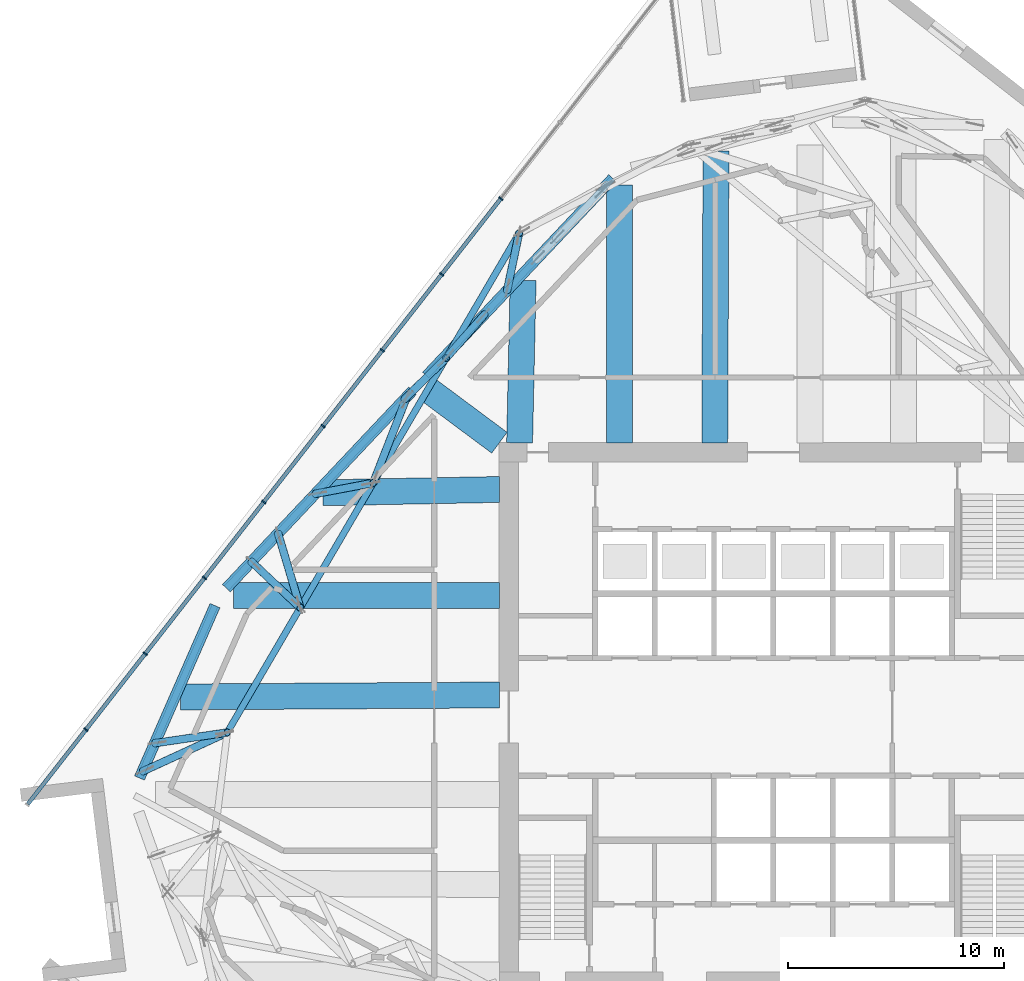
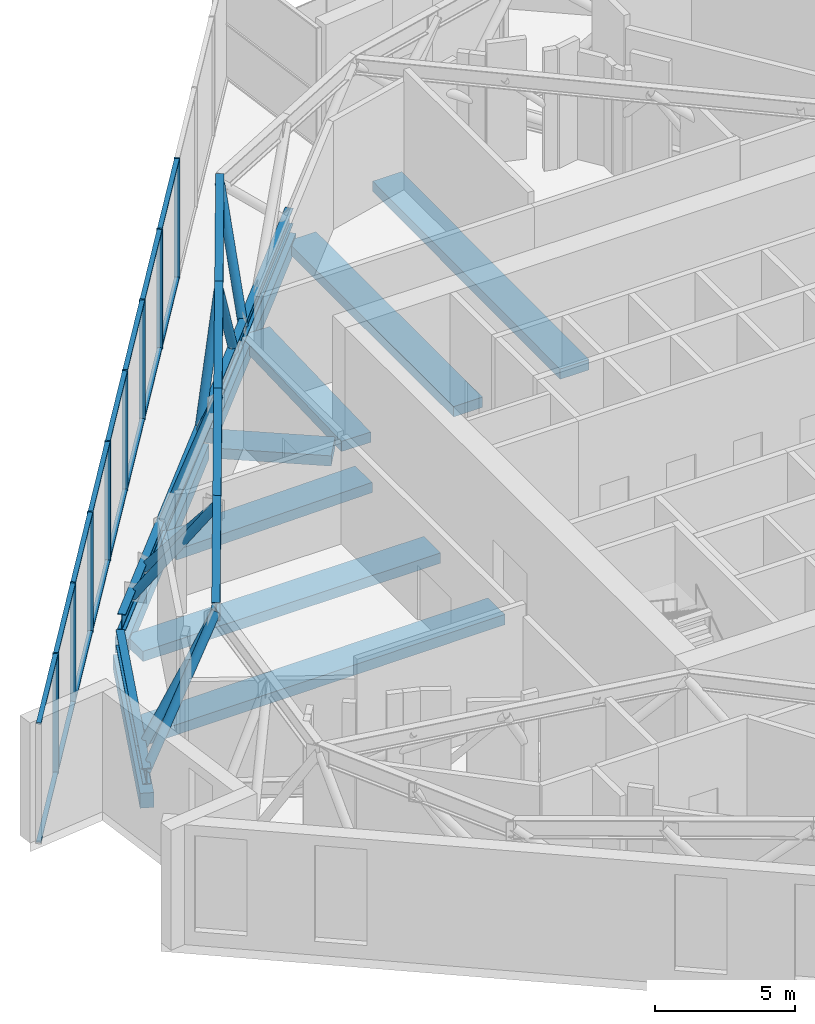
# One storey, part 5 of 23: 33 members, 17 beams, 1 element without a shape of its own.
"""IFC4 building model written with IfcOpenShell, lengths in metres."""

from ifc_helpers import new_model, si_unit, direction, frame, origin, origin_2d, place, context, subcontext, project, spatial, rectangle, hollow_circle, i_section, extrude, material, material_profile, profile_set, type_object, element, aggregate, save


model = new_model("IFC4")

# Units and contexts
model_context = context("Model", 3, precision=1e-05, world=origin(), true_north=direction((0.0, 1.0)))
body_context = subcontext(model_context, "Body", "Model", "MODEL_VIEW")
ifc_project = project(units=[si_unit("LENGTHUNIT", "METRE"), si_unit("AREAUNIT", "SQUARE_METRE"), si_unit("VOLUMEUNIT", "CUBIC_METRE"), si_unit("PLANEANGLEUNIT", "RADIAN"), si_unit("MASSUNIT", "GRAM", prefix="KILO")], contexts=[model_context])

# Site, building, storey
site_placement = place(None, origin())
site = spatial("IfcSite", under=ifc_project, at=site_placement, CompositionType="ELEMENT")
building_placement = place(site_placement, origin())
building = spatial("IfcBuilding", under=site, at=building_placement, Name="Dilmun Exchange Tower", CompositionType="ELEMENT")
storey_placement = place(building_placement, frame((0.0, 0.0, 237.300048828125)))
storey = spatial("IfcBuildingStorey", under=building, at=storey_placement, Name="L56", CompositionType="ELEMENT", Elevation=237.300048828125)

# Beams
ifc_material_1 = material(Name="Concrete C40/50", Category="concrete")
ifc_material_profile_1 = material_profile(ifc_material_1, rectangle(XDim=1.199951171875, YDim=0.449951171875, at=origin_2d()), Name="1200 x 450")
ifc_profile_set_1 = profile_set([ifc_material_profile_1], Name="Concrete C40/50")
beam_type_1 = type_object("IfcBeamType", Name="RC band beam 1200 x 450 C40/50", PredefinedType="BEAM", material=ifc_profile_set_1)
beam_1_placement = place(storey_placement, frame((-7.113037109375, 24.596923828125, -0.705078125), z_axis=(0.0, -1.0, 0.0), x_axis=(1.0, 0.0, 0.0)))
element("IfcBeam", 1, at=beam_1_placement, inside=storey, type_object=beam_type_1, Name="Band beam 2", PredefinedType="BEAM", context=body_context, shape_type="SweptSolid", body=[
    extrude(rectangle(XDim=1.199951171875, YDim=0.449951171875, at=origin_2d()), origin(), (0.0, 0.0, 1.0), 11.923828125),
])
beam_2_placement = place(storey_placement, frame((-15.99072265625, 15.148681640625, -0.705078125), z_axis=(0.802264832552, -0.596968289317, 0.0), x_axis=(0.596968289317, 0.802264832552, 0.0)))
element("IfcBeam", 2, at=beam_2_placement, inside=storey, type_object=beam_type_1, Name="Band beam 3", PredefinedType="BEAM", context=body_context, shape_type="SweptSolid", body=[
    extrude(rectangle(XDim=1.199951171875, YDim=0.449951171875, at=origin_2d()), origin(), (0.0, 0.0, 1.0), 4.12890625),
])
beam_3_placement = place(storey_placement, frame((-24.972900390625, 5.60888671875, -0.705078125), z_axis=(1.0, 0.0, 0.0), x_axis=(0.0, 1.0, 0.0)))
element("IfcBeam", 3, at=beam_3_placement, inside=storey, type_object=beam_type_1, Name="Band beam 4", PredefinedType="BEAM", context=body_context, shape_type="SweptSolid", body=[
    extrude(rectangle(XDim=1.199951171875, YDim=0.449951171875, at=origin_2d()), origin(), (0.0, 0.0, 1.0), 12.2998046875),
])
beam_4_placement = place(storey_placement, frame((-2.657958984375, 26.181640625, -0.60498046875), z_axis=(-0.004156765881, -0.999991360611, 0.0), x_axis=(0.999991360611, -0.004156765881, 0.0)))
element("IfcBeam", 4, at=beam_4_placement, inside=storey, type_object=beam_type_1, Name="Band beam 17", PredefinedType="BEAM", context=body_context, shape_type="SweptSolid", body=[
    extrude(rectangle(XDim=1.199951171875, YDim=0.449951171875, at=origin_2d()), origin(), (0.0, 0.0, 1.0), 13.508544921875),
])
beam_5_placement = place(storey_placement, frame((-11.580810546875, 20.19189453125, -0.60498046875), z_axis=(-0.021555532074, -0.999767652526, 0.0), x_axis=(0.999767652526, -0.021555532074, 0.0)))
element("IfcBeam", 5, at=beam_5_placement, inside=storey, type_object=beam_type_1, Name="Band beam 18", PredefinedType="BEAM", context=body_context, shape_type="SweptSolid", body=[
    extrude(rectangle(XDim=1.199951171875, YDim=0.449951171875, at=origin_2d()), origin(), (0.0, 0.0, 1.0), 7.5205078125),
])
beam_6_placement = place(storey_placement, frame((-20.8408203125, 10.367919921875, -0.60498046875), z_axis=(0.999824422594, 0.018738302585, 0.0), x_axis=(-0.018738302585, 0.999824422594, 0.0)))
element("IfcBeam", 6, at=beam_6_placement, inside=storey, type_object=beam_type_1, Name="Band beam 19", PredefinedType="BEAM", context=body_context, shape_type="SweptSolid", body=[
    extrude(rectangle(XDim=1.199951171875, YDim=0.449951171875, at=origin_2d()), origin(), (0.0, 0.0, 1.0), 8.169189453125),
])
beam_7_placement = place(storey_placement, frame((-27.441650390625, 0.924072265625, -0.60498046875), z_axis=(0.999981696912, 0.006050276087, 0.0), x_axis=(-0.006050276087, 0.999981696912, 0.0)))
element("IfcBeam", 7, at=beam_7_placement, inside=storey, type_object=beam_type_1, Name="Band beam 20", PredefinedType="BEAM", context=body_context, shape_type="SweptSolid", body=[
    extrude(rectangle(XDim=1.199951171875, YDim=0.449951171875, at=origin_2d()), origin(), (0.0, 0.0, 1.0), 14.768798828125),
])
ifc_material_profile_2 = material_profile(ifc_material_1, rectangle(XDim=0.5, YDim=0.64990234375, at=origin_2d()), Name="500 x 650")
ifc_profile_set_2 = profile_set([ifc_material_profile_2], Name="Concrete C40/50")
beam_type_2 = type_object("IfcBeamType", Name="RC ring beam 500 x 650 C40/50", PredefinedType="SPANDREL", material=ifc_profile_set_2)
for number, where, z_axis, x_axis, name in (
    (8, (-7.4375, 24.912841796875, -0.705078125), (-0.685902559512, -0.727693396188, 0.0), (0.727693396188, -0.685902559512, 0.0), "Ring beam 2"),
    (9, (-16.697509765625, 15.0888671875, -0.705078125), (-0.685902559512, -0.727693396188, 0.0), (0.727693396188, -0.685902559512, 0.0), "Ring beam 3"),
):
    element("IfcBeam", number, at=place(storey_placement, frame(where, z_axis=z_axis, x_axis=x_axis)), inside=storey, type_object=beam_type_2, Name=name, PredefinedType="SPANDREL", context=body_context, shape_type="SweptSolid", body=[
        extrude(rectangle(XDim=0.5, YDim=0.64990234375, at=origin_2d()), origin(), (0.0, 0.0, 1.0), 12.554443359375),
    ])
beam_8_placement = place(storey_placement, frame((-25.835205078125, 5.1474609375, -0.705078125), z_axis=(-0.401239440722, -0.915973204416, 0.0), x_axis=(0.915973204416, -0.401239440722, 0.0)))
element("IfcBeam", 10, at=beam_8_placement, inside=storey, type_object=beam_type_2, Name="Ring beam 4", PredefinedType="SPANDREL", context=body_context, shape_type="SweptSolid", body=[
    extrude(rectangle(XDim=0.5, YDim=0.64990234375, at=origin_2d()), origin(), (0.0, 0.0, 1.0), 8.707763671875),
])

# Curtain wall, members
ifc_material_2 = material(Name="Anodised aluminium and clear glass", Category="aluminium")
curtain_wall_type = type_object("IfcCurtainWallType", Name="Sky lobby glazing", PredefinedType="NOTDEFINED", material=ifc_material_2)
curtain_wall_placement = place(storey_placement, origin())
curtain_wall = element("IfcCurtainWall", 11, at=curtain_wall_placement, inside=storey, type_object=curtain_wall_type, Name="Sky lobby glazing run SL4", PredefinedType="NOTDEFINED")
ifc_material_3 = material(Name="Anodised aluminium", Category="aluminium")
ifc_material_profile_3 = material_profile(ifc_material_3, rectangle(XDim=0.219970703125, YDim=0.070068359375, at=origin_2d()), Name="AL 70x220")
ifc_profile_set_3 = profile_set([ifc_material_profile_3], Name="Anodised aluminium")
member_type_1 = type_object("IfcMemberType", Name="Sky lobby glazing mullion 70 x 220", PredefinedType="MULLION", material=ifc_profile_set_3)
member_1_placement = place(storey_placement, frame((-12.607666015625, 23.982421875, 0.0), z_axis=(0.0, 0.0, 1.0), x_axis=(0.78801066701, -0.615661586164, 0.0)))
member_1 = element("IfcMember", 12, at=member_1_placement, type_object=member_type_1, Name="SL4 mullion 4", PredefinedType="MULLION", context=body_context, shape_type="SweptSolid", body=[
    extrude(rectangle(XDim=0.219970703125, YDim=0.070068359375, at=origin_2d()), origin(), (0.0, 0.0, 1.0), 5.239990234375),
])
member_2_placement = place(storey_placement, frame((-15.35009765625, 20.47216796875, 0.0), z_axis=(0.0, 0.0, 1.0), x_axis=(0.78801066701, -0.615661586164, 0.0)))
member_2 = element("IfcMember", 13, at=member_2_placement, type_object=member_type_1, Name="SL4 mullion 5", PredefinedType="MULLION", context=body_context, shape_type="SweptSolid", body=[
    extrude(rectangle(XDim=0.219970703125, YDim=0.070068359375, at=origin_2d()), origin(), (0.0, 0.0, 1.0), 5.239990234375),
])
member_3_placement = place(storey_placement, frame((-18.0927734375, 16.9619140625, 0.0), z_axis=(0.0, 0.0, 1.0), x_axis=(0.78801066701, -0.615661586164, 0.0)))
member_3 = element("IfcMember", 14, at=member_3_placement, type_object=member_type_1, Name="SL4 mullion 6", PredefinedType="MULLION", context=body_context, shape_type="SweptSolid", body=[
    extrude(rectangle(XDim=0.219970703125, YDim=0.070068359375, at=origin_2d()), origin(), (0.0, 0.0, 1.0), 5.239990234375),
])
member_4_placement = place(storey_placement, frame((-20.835205078125, 13.45166015625, 0.0), z_axis=(0.0, 0.0, 1.0), x_axis=(0.78801066701, -0.615661586164, 0.0)))
member_4 = element("IfcMember", 15, at=member_4_placement, type_object=member_type_1, Name="SL4 mullion 7", PredefinedType="MULLION", context=body_context, shape_type="SweptSolid", body=[
    extrude(rectangle(XDim=0.219970703125, YDim=0.070068359375, at=origin_2d()), origin(), (0.0, 0.0, 1.0), 5.239990234375),
])
member_5_placement = place(storey_placement, frame((-23.57763671875, 9.94140625, 0.0), z_axis=(0.0, 0.0, 1.0), x_axis=(0.78801066701, -0.615661586164, 0.0)))
member_5 = element("IfcMember", 16, at=member_5_placement, type_object=member_type_1, Name="SL4 mullion 8", PredefinedType="MULLION", context=body_context, shape_type="SweptSolid", body=[
    extrude(rectangle(XDim=0.219970703125, YDim=0.070068359375, at=origin_2d()), origin(), (0.0, 0.0, 1.0), 5.239990234375),
])
member_6_placement = place(storey_placement, frame((-26.320068359375, 6.431396484375, 0.0), z_axis=(0.0, 0.0, 1.0), x_axis=(0.78801066701, -0.615661586164, 0.0)))
member_6 = element("IfcMember", 17, at=member_6_placement, type_object=member_type_1, Name="SL4 mullion 9", PredefinedType="MULLION", context=body_context, shape_type="SweptSolid", body=[
    extrude(rectangle(XDim=0.219970703125, YDim=0.070068359375, at=origin_2d()), origin(), (0.0, 0.0, 1.0), 5.239990234375),
])
member_7_placement = place(storey_placement, frame((-29.0625, 2.921142578125, 0.0), z_axis=(0.0, 0.0, 1.0), x_axis=(0.78801066701, -0.615661586164, 0.0)))
member_7 = element("IfcMember", 18, at=member_7_placement, type_object=member_type_1, Name="SL4 mullion 10", PredefinedType="MULLION", context=body_context, shape_type="SweptSolid", body=[
    extrude(rectangle(XDim=0.219970703125, YDim=0.070068359375, at=origin_2d()), origin(), (0.0, 0.0, 1.0), 5.239990234375),
])
member_8_placement = place(storey_placement, frame((-31.80517578125, -0.589111328125, 0.0), z_axis=(0.0, 0.0, 1.0), x_axis=(0.78801066701, -0.615661586164, 0.0)))
member_8 = element("IfcMember", 19, at=member_8_placement, type_object=member_type_1, Name="SL4 mullion 11", PredefinedType="MULLION", context=body_context, shape_type="SweptSolid", body=[
    extrude(rectangle(XDim=0.219970703125, YDim=0.070068359375, at=origin_2d()), origin(), (0.0, 0.0, 1.0), 5.239990234375),
])
ifc_material_profile_4 = material_profile(ifc_material_3, rectangle(XDim=0.179931640625, YDim=0.070068359375, at=origin_2d()), Name="AL 70x180")
ifc_profile_set_4 = profile_set([ifc_material_profile_4], Name="Anodised aluminium")
member_type_2 = type_object("IfcMemberType", Name="Sky lobby glazing transom 70 x 180", PredefinedType="USERDEFINED", material=ifc_profile_set_4)
member_9_placement = place(storey_placement, frame((-12.629150390625, 23.954833984375, 0.034912109375), z_axis=(-0.615669974548, -0.788004113213, 0.0), x_axis=(0.788004113213, -0.615669974548, 0.0)))
member_9 = element("IfcMember", 20, at=member_9_placement, type_object=member_type_2, Name="SL4 transom 4.1", ObjectType="TRANSOM", PredefinedType="USERDEFINED", context=body_context, shape_type="SweptSolid", body=[
    extrude(rectangle(XDim=0.179931640625, YDim=0.070068359375, at=origin_2d()), origin(), (0.0, 0.0, 1.0), 4.384521484375),
])
member_10_placement = place(storey_placement, frame((-12.629150390625, 23.954833984375, 5.204833984375), z_axis=(-0.615669974548, -0.788004113213, 0.0), x_axis=(0.788004113213, -0.615669974548, 0.0)))
member_10 = element("IfcMember", 21, at=member_10_placement, type_object=member_type_2, Name="SL4 transom 4.2", ObjectType="TRANSOM", PredefinedType="USERDEFINED", context=body_context, shape_type="SweptSolid", body=[
    extrude(rectangle(XDim=0.179931640625, YDim=0.070068359375, at=origin_2d()), origin(), (0.0, 0.0, 1.0), 4.384521484375),
])
member_11_placement = place(storey_placement, frame((-15.371826171875, 20.444580078125, 0.034912109375), z_axis=(-0.615635397336, -0.78803112727, 0.0), x_axis=(0.78803112727, -0.615635397336, 0.0)))
member_11 = element("IfcMember", 22, at=member_11_placement, type_object=member_type_2, Name="SL4 transom 5.1", ObjectType="TRANSOM", PredefinedType="USERDEFINED", context=body_context, shape_type="SweptSolid", body=[
    extrude(rectangle(XDim=0.179931640625, YDim=0.070068359375, at=origin_2d()), origin(), (0.0, 0.0, 1.0), 4.384521484375),
])
member_12_placement = place(storey_placement, frame((-15.371826171875, 20.444580078125, 5.204833984375), z_axis=(-0.615635397336, -0.78803112727, 0.0), x_axis=(0.78803112727, -0.615635397336, 0.0)))
member_12 = element("IfcMember", 23, at=member_12_placement, type_object=member_type_2, Name="SL4 transom 5.2", ObjectType="TRANSOM", PredefinedType="USERDEFINED", context=body_context, shape_type="SweptSolid", body=[
    extrude(rectangle(XDim=0.179931640625, YDim=0.070068359375, at=origin_2d()), origin(), (0.0, 0.0, 1.0), 4.384521484375),
])
member_13_placement = place(storey_placement, frame((-18.1142578125, 16.934326171875, 0.034912109375), z_axis=(-0.615635397336, -0.78803112727, 0.0), x_axis=(0.78803112727, -0.615635397336, 0.0)))
member_13 = element("IfcMember", 24, at=member_13_placement, type_object=member_type_2, Name="SL4 transom 6.1", ObjectType="TRANSOM", PredefinedType="USERDEFINED", context=body_context, shape_type="SweptSolid", body=[
    extrude(rectangle(XDim=0.179931640625, YDim=0.070068359375, at=origin_2d()), origin(), (0.0, 0.0, 1.0), 4.384521484375),
])
member_14_placement = place(storey_placement, frame((-18.1142578125, 16.934326171875, 5.204833984375), z_axis=(-0.615635397336, -0.78803112727, 0.0), x_axis=(0.78803112727, -0.615635397336, 0.0)))
member_14 = element("IfcMember", 25, at=member_14_placement, type_object=member_type_2, Name="SL4 transom 6.2", ObjectType="TRANSOM", PredefinedType="USERDEFINED", context=body_context, shape_type="SweptSolid", body=[
    extrude(rectangle(XDim=0.179931640625, YDim=0.070068359375, at=origin_2d()), origin(), (0.0, 0.0, 1.0), 4.384521484375),
])
member_15_placement = place(storey_placement, frame((-20.856689453125, 13.424072265625, 0.034912109375), z_axis=(-0.615669974548, -0.788004113213, 0.0), x_axis=(0.788004113213, -0.615669974548, 0.0)))
member_15 = element("IfcMember", 26, at=member_15_placement, type_object=member_type_2, Name="SL4 transom 7.1", ObjectType="TRANSOM", PredefinedType="USERDEFINED", context=body_context, shape_type="SweptSolid", body=[
    extrude(rectangle(XDim=0.179931640625, YDim=0.070068359375, at=origin_2d()), origin(), (0.0, 0.0, 1.0), 4.384521484375),
])
member_16_placement = place(storey_placement, frame((-20.856689453125, 13.424072265625, 5.204833984375), z_axis=(-0.615669974548, -0.788004113213, 0.0), x_axis=(0.788004113213, -0.615669974548, 0.0)))
member_16 = element("IfcMember", 27, at=member_16_placement, type_object=member_type_2, Name="SL4 transom 7.2", ObjectType="TRANSOM", PredefinedType="USERDEFINED", context=body_context, shape_type="SweptSolid", body=[
    extrude(rectangle(XDim=0.179931640625, YDim=0.070068359375, at=origin_2d()), origin(), (0.0, 0.0, 1.0), 4.384521484375),
])
member_17_placement = place(storey_placement, frame((-23.59912109375, 9.913818359375, 0.034912109375), z_axis=(-0.615669974548, -0.788004113213, 0.0), x_axis=(0.788004113213, -0.615669974548, 0.0)))
member_17 = element("IfcMember", 28, at=member_17_placement, type_object=member_type_2, Name="SL4 transom 8.1", ObjectType="TRANSOM", PredefinedType="USERDEFINED", context=body_context, shape_type="SweptSolid", body=[
    extrude(rectangle(XDim=0.179931640625, YDim=0.070068359375, at=origin_2d()), origin(), (0.0, 0.0, 1.0), 4.384521484375),
])
member_18_placement = place(storey_placement, frame((-23.59912109375, 9.913818359375, 5.204833984375), z_axis=(-0.615669974548, -0.788004113213, 0.0), x_axis=(0.788004113213, -0.615669974548, 0.0)))
member_18 = element("IfcMember", 29, at=member_18_placement, type_object=member_type_2, Name="SL4 transom 8.2", ObjectType="TRANSOM", PredefinedType="USERDEFINED", context=body_context, shape_type="SweptSolid", body=[
    extrude(rectangle(XDim=0.179931640625, YDim=0.070068359375, at=origin_2d()), origin(), (0.0, 0.0, 1.0), 4.384521484375),
])
member_19_placement = place(storey_placement, frame((-26.341796875, 6.40380859375, 0.034912109375), z_axis=(-0.615635397336, -0.78803112727, 0.0), x_axis=(0.78803112727, -0.615635397336, 0.0)))
member_19 = element("IfcMember", 30, at=member_19_placement, type_object=member_type_2, Name="SL4 transom 9.1", ObjectType="TRANSOM", PredefinedType="USERDEFINED", context=body_context, shape_type="SweptSolid", body=[
    extrude(rectangle(XDim=0.179931640625, YDim=0.070068359375, at=origin_2d()), origin(), (0.0, 0.0, 1.0), 4.384521484375),
])
member_20_placement = place(storey_placement, frame((-26.341796875, 6.40380859375, 5.204833984375), z_axis=(-0.615635397336, -0.78803112727, 0.0), x_axis=(0.78803112727, -0.615635397336, 0.0)))
member_20 = element("IfcMember", 31, at=member_20_placement, type_object=member_type_2, Name="SL4 transom 9.2", ObjectType="TRANSOM", PredefinedType="USERDEFINED", context=body_context, shape_type="SweptSolid", body=[
    extrude(rectangle(XDim=0.179931640625, YDim=0.070068359375, at=origin_2d()), origin(), (0.0, 0.0, 1.0), 4.384521484375),
])
member_21_placement = place(storey_placement, frame((-29.084228515625, 2.8935546875, 0.034912109375), z_axis=(-0.615635397336, -0.78803112727, 0.0), x_axis=(0.78803112727, -0.615635397336, 0.0)))
member_21 = element("IfcMember", 32, at=member_21_placement, type_object=member_type_2, Name="SL4 transom 10.1", ObjectType="TRANSOM", PredefinedType="USERDEFINED", context=body_context, shape_type="SweptSolid", body=[
    extrude(rectangle(XDim=0.179931640625, YDim=0.070068359375, at=origin_2d()), origin(), (0.0, 0.0, 1.0), 4.384521484375),
])
member_22_placement = place(storey_placement, frame((-29.084228515625, 2.8935546875, 5.204833984375), z_axis=(-0.615635397336, -0.78803112727, 0.0), x_axis=(0.78803112727, -0.615635397336, 0.0)))
member_22 = element("IfcMember", 33, at=member_22_placement, type_object=member_type_2, Name="SL4 transom 10.2", ObjectType="TRANSOM", PredefinedType="USERDEFINED", context=body_context, shape_type="SweptSolid", body=[
    extrude(rectangle(XDim=0.179931640625, YDim=0.070068359375, at=origin_2d()), origin(), (0.0, 0.0, 1.0), 4.384521484375),
])
member_23_placement = place(storey_placement, frame((-31.82666015625, -0.61669921875, 0.034912109375), z_axis=(-0.615645131234, -0.788023522738, 0.0), x_axis=(0.788023522738, -0.615645131234, 0.0)))
member_23 = element("IfcMember", 34, at=member_23_placement, type_object=member_type_2, Name="SL4 transom 11.1", ObjectType="TRANSOM", PredefinedType="USERDEFINED", context=body_context, shape_type="SweptSolid", body=[
    extrude(rectangle(XDim=0.179931640625, YDim=0.070068359375, at=origin_2d()), origin(), (0.0, 0.0, 1.0), 4.349365234375),
])
member_24_placement = place(storey_placement, frame((-31.82666015625, -0.61669921875, 5.204833984375), z_axis=(-0.615645131234, -0.788023522738, 0.0), x_axis=(0.788023522738, -0.615645131234, 0.0)))
member_24 = element("IfcMember", 35, at=member_24_placement, type_object=member_type_2, Name="SL4 transom 11.2", ObjectType="TRANSOM", PredefinedType="USERDEFINED", context=body_context, shape_type="SweptSolid", body=[
    extrude(rectangle(XDim=0.179931640625, YDim=0.070068359375, at=origin_2d()), origin(), (0.0, 0.0, 1.0), 4.349365234375),
])
aggregate(curtain_wall, [member_1, member_2, member_3, member_4, member_5, member_6, member_7, member_8, member_9, member_10, member_11, member_12, member_13, member_14, member_15, member_16, member_17, member_18, member_19, member_20, member_21, member_22, member_23, member_24])

# Beams
ifc_material_4 = material(Name="Steel S355", Category="steel")
ifc_material_profile_5 = material_profile(ifc_material_4, i_section(OverallWidth=0.300048828125, OverallDepth=0.699951171875, WebThickness=0.01708984375, FlangeThickness=0.031982421875, FilletRadius=0.027099609375, at=origin_2d()), Name="HEB 700")
ifc_profile_set_5 = profile_set([ifc_material_profile_5], Name="Steel S355")
beam_type_3 = type_object("IfcBeamType", Name="belt bottom chord HEB 700", PredefinedType="BEAM", material=ifc_profile_set_5)
for number, where, z_axis, x_axis, name in (
    (36, (-7.4375, 24.912841796875, 0.349853515625), (-0.685902559512, -0.727693396188, 0.0), (0.727693396188, -0.685902559512, 0.0), "Belt bottom chord 2"),
    (37, (-16.697509765625, 15.0888671875, 0.349853515625), (-0.685902559512, -0.727693396188, 0.0), (0.727693396188, -0.685902559512, 0.0), "Belt bottom chord 3"),
):
    element("IfcBeam", number, at=place(storey_placement, frame(where, z_axis=z_axis, x_axis=x_axis)), inside=storey, type_object=beam_type_3, Name=name, PredefinedType="BEAM", context=body_context, shape_type="SweptSolid", body=[
        extrude(i_section(OverallWidth=0.300048828125, OverallDepth=0.699951171875, WebThickness=0.01708984375, FlangeThickness=0.031982421875, FilletRadius=0.027099609375, at=origin_2d()), origin(), (0.0, 0.0, 1.0), 12.554443359375),
    ])
beam_9_placement = place(storey_placement, frame((-25.835205078125, 5.1474609375, 0.349853515625), z_axis=(-0.401239440722, -0.915973204416, 0.0), x_axis=(0.915973204416, -0.401239440722, 0.0)))
element("IfcBeam", 38, at=beam_9_placement, inside=storey, type_object=beam_type_3, Name="Belt bottom chord 4", PredefinedType="BEAM", context=body_context, shape_type="SweptSolid", body=[
    extrude(i_section(OverallWidth=0.300048828125, OverallDepth=0.699951171875, WebThickness=0.01708984375, FlangeThickness=0.031982421875, FilletRadius=0.027099609375, at=origin_2d()), origin(), (0.0, 0.0, 1.0), 8.707763671875),
])
ifc_material_profile_6 = material_profile(ifc_material_4, i_section(OverallWidth=0.302978515625, OverallDepth=0.81396484375, WebThickness=0.02099609375, FlangeThickness=0.0400390625, FilletRadius=0.030029296875, at=origin_2d()), Name="HEM 800")
ifc_profile_set_6 = profile_set([ifc_material_profile_6], Name="Steel S355")
beam_type_4 = type_object("IfcBeamType", Name="transfer chord HEM 800", PredefinedType="BEAM", material=ifc_profile_set_6)
beam_10_placement = place(storey_placement, frame((-11.76904296875, 22.3720703125, 4.8330078125), z_axis=(-0.50459947261, -0.86335356155, 0.0), x_axis=(0.86335356155, -0.50459947261, 0.0)))
element("IfcBeam", 39, at=beam_10_placement, inside=storey, type_object=beam_type_4, Name="Transfer chord 3", PredefinedType="BEAM", context=body_context, shape_type="SweptSolid", body=[
    extrude(i_section(OverallWidth=0.302978515625, OverallDepth=0.81396484375, WebThickness=0.02099609375, FlangeThickness=0.0400390625, FilletRadius=0.030029296875, at=origin_2d()), origin(), (0.0, 0.0, 1.0), 6.6875),
])
beam_11_placement = place(storey_placement, frame((-15.1435546875, 16.598388671875, 4.8330078125), z_axis=(-0.504615377209, -0.863344265681, 0.0), x_axis=(0.863344265681, -0.504615377209, 0.0)))
element("IfcBeam", 40, at=beam_11_placement, inside=storey, type_object=beam_type_4, Name="Transfer chord 4", PredefinedType="BEAM", context=body_context, shape_type="SweptSolid", body=[
    extrude(i_section(OverallWidth=0.302978515625, OverallDepth=0.81396484375, WebThickness=0.02099609375, FlangeThickness=0.0400390625, FilletRadius=0.030029296875, at=origin_2d()), origin(), (0.0, 0.0, 1.0), 6.687255859375),
])
for number, where, z_axis, x_axis, name in (
    (41, (-18.51806640625, 10.824951171875, 4.8330078125), (-0.504669797844, -0.863312455108, 0.0), (0.863312455108, -0.504669797844, 0.0), "Transfer chord 5"),
    (42, (-21.89306640625, 5.051513671875, 4.8330078125), (-0.504669797844, -0.863312455108, 0.0), (0.863312455108, -0.504669797844, 0.0), "Transfer chord 6"),
):
    element("IfcBeam", number, at=place(storey_placement, frame(where, z_axis=z_axis, x_axis=x_axis)), inside=storey, type_object=beam_type_4, Name=name, PredefinedType="BEAM", context=body_context, shape_type="SweptSolid", body=[
        extrude(i_section(OverallWidth=0.302978515625, OverallDepth=0.81396484375, WebThickness=0.02099609375, FlangeThickness=0.0400390625, FilletRadius=0.030029296875, at=origin_2d()), origin(), (0.0, 0.0, 1.0), 6.6875),
    ])

# Members
ifc_material_profile_7 = material_profile(ifc_material_4, hollow_circle(Radius=0.177734375, WallThickness=0.02001953125, at=origin_2d()), Name="CHS 355.6x20")
ifc_profile_set_7 = profile_set([ifc_material_profile_7], Name="Steel S355")
member_type_3 = type_object("IfcMemberType", Name="truss diagonal CHS 355.6x20", PredefinedType="BRACE", material=ifc_profile_set_7)
member_25_placement = place(storey_placement, frame((-11.76904296875, 22.3720703125, 4.8330078125), z_axis=(-0.105502714117, -0.504649205296, -0.856853754679), x_axis=(0.978837869399, -0.204637302146, 0.0)))
element("IfcMember", 43, at=member_25_placement, inside=storey, type_object=member_type_3, Name="Truss diagonal 6", PredefinedType="BRACE", context=body_context, shape_type="SweptSolid", body=[
    extrude(hollow_circle(Radius=0.177734375, WallThickness=0.02001953125, at=origin_2d()), origin(), (0.0, 0.0, 1.0), 5.232177734375),
])
member_26_placement = place(storey_placement, frame((-15.1435546875, 16.598388671875, 4.8330078125), z_axis=(-0.367040155405, -0.362842212339, -0.856520316902), x_axis=(0.703028204635, -0.711161967126, 0.0)))
element("IfcMember", 44, at=member_26_placement, inside=storey, type_object=member_type_3, Name="Truss diagonal 7", PredefinedType="BRACE", context=body_context, shape_type="SweptSolid", body=[
    extrude(hollow_circle(Radius=0.177734375, WallThickness=0.02001953125, at=origin_2d()), origin(), (0.0, 0.0, 1.0), 5.234130859375),
])
member_27_placement = place(storey_placement, frame((-15.1435546875, 16.598388671875, 4.8330078125), z_axis=(0.340577902919, 0.387872615814, -0.856482063995), x_axis=(-0.75143366883, 0.659808639947, 0.0)))
element("IfcMember", 45, at=member_27_placement, inside=storey, type_object=member_type_3, Name="Truss diagonal 8", PredefinedType="BRACE", context=body_context, shape_type="SweptSolid", body=[
    extrude(hollow_circle(Radius=0.177734375, WallThickness=0.02001953125, at=origin_2d()), origin(), (0.0, 0.0, 1.0), 5.234375),
])
member_28_placement = place(storey_placement, frame((-18.51806640625, 10.824951171875, 4.8330078125), z_axis=(0.251889284723, 0.643345233145, -0.722951380959), x_axis=(-0.931171298583, 0.36458196979, 0.0)))
element("IfcMember", 46, at=member_28_placement, inside=storey, type_object=member_type_3, Name="Truss diagonal 9", PredefinedType="BRACE", context=body_context, shape_type="SweptSolid", body=[
    extrude(hollow_circle(Radius=0.177734375, WallThickness=0.02001953125, at=origin_2d()), origin(), (0.0, 0.0, 1.0), 6.201171875),
])
member_29_placement = place(storey_placement, frame((-18.51806640625, 10.824951171875, 4.8330078125), z_axis=(-0.509759846471, -0.096048457692, -0.854938356082), x_axis=(0.185160931663, -0.982708211722, 0.0)))
element("IfcMember", 47, at=member_29_placement, inside=storey, type_object=member_type_3, Name="Truss diagonal 10", PredefinedType="BRACE", context=body_context, shape_type="SweptSolid", body=[
    extrude(hollow_circle(Radius=0.177734375, WallThickness=0.02001953125, at=origin_2d()), origin(), (0.0, 0.0, 1.0), 5.243896484375),
])
member_30_placement = place(storey_placement, frame((-21.89306640625, 5.051513671875, 4.8330078125), z_axis=(-0.414206694006, 0.390431561099, -0.822189765649), x_axis=(-0.685914112614, -0.727682506398, 0.0)))
element("IfcMember", 48, at=member_30_placement, inside=storey, type_object=member_type_3, Name="Truss diagonal 11", PredefinedType="BRACE", context=body_context, shape_type="SweptSolid", body=[
    extrude(hollow_circle(Radius=0.177734375, WallThickness=0.02001953125, at=origin_2d()), origin(), (0.0, 0.0, 1.0), 5.45263671875),
])
member_31_placement = place(storey_placement, frame((-21.89306640625, 5.051513671875, 4.8330078125), z_axis=(-0.178314005555, 0.598886762576, -0.780729633762), x_axis=(-0.958419739496, -0.285362231112, 0.0)))
element("IfcMember", 49, at=member_31_placement, inside=storey, type_object=member_type_3, Name="Truss diagonal 12", PredefinedType="BRACE", context=body_context, shape_type="SweptSolid", body=[
    extrude(hollow_circle(Radius=0.177734375, WallThickness=0.02001953125, at=origin_2d()), origin(), (0.0, 0.0, 1.0), 5.7421875),
])
member_32_placement = place(storey_placement, frame((-25.26806640625, -0.721923828125, 4.8330078125), z_axis=(-0.630808524286, -0.290026907718, -0.719697852219), x_axis=(0.417733211631, -0.908569735298, 0.0)))
element("IfcMember", 50, at=member_32_placement, inside=storey, type_object=member_type_3, Name="Truss diagonal 13", PredefinedType="BRACE", context=body_context, shape_type="SweptSolid", body=[
    extrude(hollow_circle(Radius=0.177734375, WallThickness=0.02001953125, at=origin_2d()), origin(), (0.0, 0.0, 1.0), 6.229248046875),
])
member_33_placement = place(storey_placement, frame((-25.26806640625, -0.721923828125, 4.8330078125), z_axis=(-0.596852680666, -0.088118612317, -0.797497327735), x_axis=(0.146055576503, -0.989276386341, 0.0)))
element("IfcMember", 51, at=member_33_placement, inside=storey, type_object=member_type_3, Name="Truss diagonal 14", PredefinedType="BRACE", context=body_context, shape_type="SweptSolid", body=[
    extrude(hollow_circle(Radius=0.177734375, WallThickness=0.02001953125, at=origin_2d()), origin(), (0.0, 0.0, 1.0), 5.62158203125),
])

save(model, "model.ifc")
